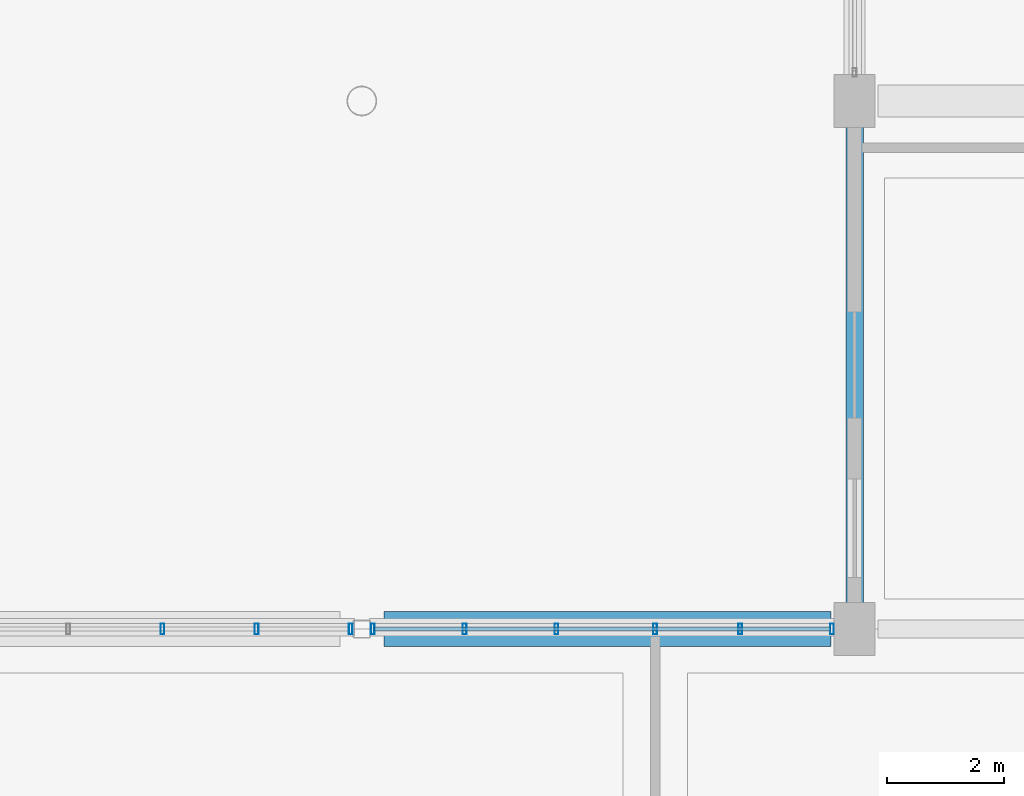
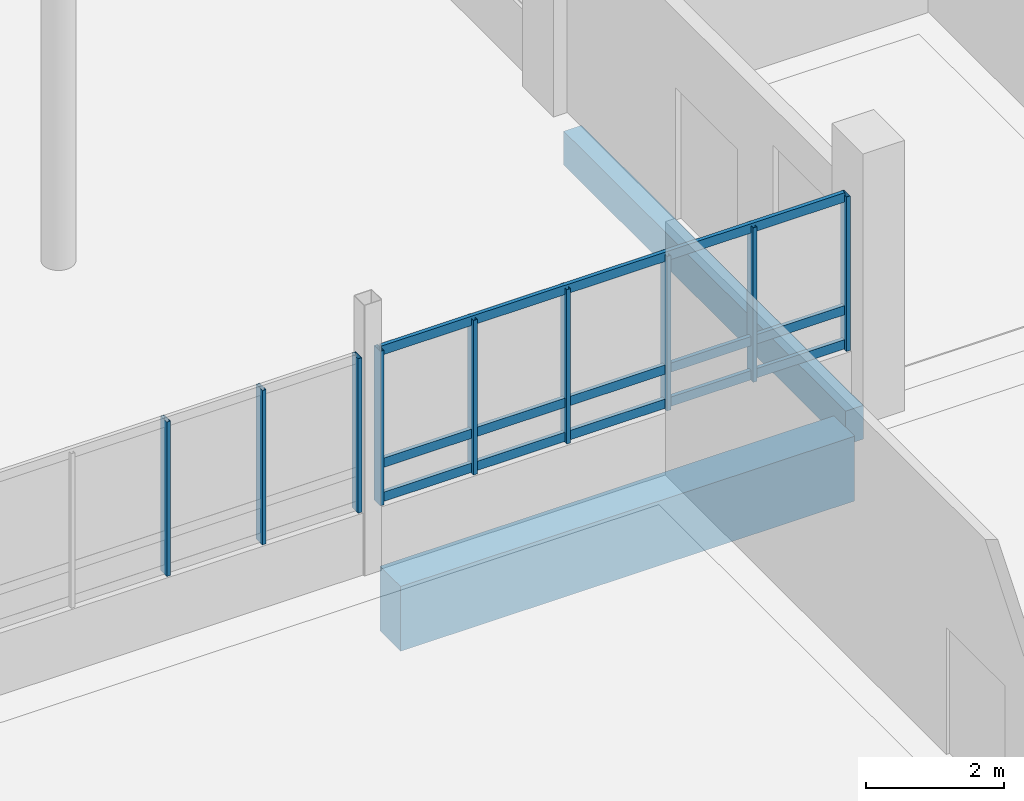
# One storey, part 23 of 95: 12 members, 2 beams, 2 elements without a shape of their own.
"""IFC4 building model written with IfcOpenShell, lengths in metres."""

from ifc_helpers import new_model, si_unit, direction, frame, origin, origin_2d, place, context, subcontext, project, spatial, rectangle, hollow_rectangle, extrude, material, layer, layer_set, material_profile, profile_set, type_object, element, aggregate, save


model = new_model("IFC4")

# Units and contexts
model_context = context("Model", 3, precision=1e-05, world=origin(), true_north=direction((0.0, 1.0)))
body_context = subcontext(model_context, "Body", "Model", "MODEL_VIEW")
ifc_project = project(units=[si_unit("LENGTHUNIT", "METRE"), si_unit("AREAUNIT", "SQUARE_METRE"), si_unit("VOLUMEUNIT", "CUBIC_METRE"), si_unit("PLANEANGLEUNIT", "RADIAN"), si_unit("MASSUNIT", "GRAM", prefix="KILO")], contexts=[model_context])

# Site, building, storey
site_placement = place(None, origin())
site = spatial("IfcSite", under=ifc_project, at=site_placement, CompositionType="ELEMENT")
building_placement = place(site_placement, origin())
building = spatial("IfcBuilding", under=site, at=building_placement, Name="Vireocrest Preparatory School", CompositionType="ELEMENT")
storey_placement = place(building_placement, origin())
storey = spatial("IfcBuildingStorey", under=building, at=storey_placement, Name="L00", CompositionType="ELEMENT", Elevation=0.0)

# Curtain wall, members
ifc_material_1 = material(Name="Thermally broken aluminium EN AW-6063-T6", Category="aluminium")
ifc_layer = layer(ifc_material_1, 0.179931640625)
ifc_layer_set = layer_set([ifc_layer], Name="Thermally broken aluminium EN AW-6063-T6")
curtain_wall_type = type_object("IfcCurtainWallType", Name="Court Banded Curtain Wall 8400x3600", PredefinedType="USERDEFINED", material=ifc_layer_set)
curtain_wall_1_placement = place(storey_placement, origin())
curtain_wall_1 = element("IfcCurtainWall", 1, at=curtain_wall_1_placement, inside=storey, type_object=curtain_wall_type, Name="Curtain Wall CW01 CW_L00_CW01_0757_0180_011", ObjectType="CURTAIN WALL", PredefinedType="USERDEFINED")
ifc_material_profile_1 = material_profile(ifc_material_1, hollow_rectangle(XDim=0.06494140625, YDim=0.179931640625, WallThickness=0.00390625, at=origin_2d()), Name="ALU 65x180x4")
ifc_profile_set_1 = profile_set([ifc_material_profile_1], Name="Thermally broken aluminium EN AW-6063-T6")
member_type_1 = type_object("IfcMemberType", Name="CW Mullion 65x180x4", PredefinedType="MULLION", material=ifc_profile_set_1)
member_1_placement = place(storey_placement, frame((80.6025390625, 18.0, 1.10009765625), z_axis=(0.0, 0.0, 1.0), x_axis=(1.0, 0.0, 0.0)))
member_1 = element("IfcMember", 2, at=member_1_placement, type_object=member_type_1, Name="CW Mullion ML2 CW_L00_CW01_0757_0180_011-4", PredefinedType="MULLION", context=body_context, shape_type="SweptSolid", body=[
    extrude(hollow_rectangle(XDim=0.06494140625, YDim=0.179931640625, WallThickness=0.00390625, at=origin_2d()), origin(), (0.0, 0.0, 1.0), 2.741943359375),
])
member_2_placement = place(storey_placement, frame((82.20751953125, 18.0, 1.10009765625), z_axis=(0.0, 0.0, 1.0), x_axis=(1.0, 0.0, 0.0)))
member_2 = element("IfcMember", 3, at=member_2_placement, type_object=member_type_1, Name="CW Mullion ML2 CW_L00_CW01_0757_0180_011-5", PredefinedType="MULLION", context=body_context, shape_type="SweptSolid", body=[
    extrude(hollow_rectangle(XDim=0.06494140625, YDim=0.179931640625, WallThickness=0.00390625, at=origin_2d()), origin(), (0.0, 0.0, 1.0), 2.741943359375),
])
member_3_placement = place(storey_placement, frame((83.8125, 18.0, 1.10009765625), z_axis=(0.0, 0.0, 1.0), x_axis=(1.0, 0.0, 0.0)))
member_3 = element("IfcMember", 4, at=member_3_placement, type_object=member_type_1, Name="CW Mullion ML2 CW_L00_CW01_0757_0180_011-6", PredefinedType="MULLION", context=body_context, shape_type="SweptSolid", body=[
    extrude(hollow_rectangle(XDim=0.06494140625, YDim=0.179931640625, WallThickness=0.00390625, at=origin_2d()), origin(), (0.0, 0.0, 1.0), 2.741943359375),
])
aggregate(curtain_wall_1, [member_1, member_2, member_3])

curtain_wall_2_placement = place(storey_placement, origin())
curtain_wall_2 = element("IfcCurtainWall", 5, at=curtain_wall_2_placement, inside=storey, type_object=curtain_wall_type, Name="Curtain Wall CW01 CW_L00_CW01_0841_0180_011", ObjectType="CURTAIN WALL", PredefinedType="USERDEFINED")
member_4_placement = place(storey_placement, frame((84.1875, 18.0, 1.10009765625), z_axis=(0.0, 0.0, 1.0), x_axis=(1.0, 0.0, 0.0)))
member_4 = element("IfcMember", 6, at=member_4_placement, type_object=member_type_1, Name="CW Mullion ML2 CW_L00_CW01_0841_0180_011-1", PredefinedType="MULLION", context=body_context, shape_type="SweptSolid", body=[
    extrude(hollow_rectangle(XDim=0.06494140625, YDim=0.179931640625, WallThickness=0.00390625, at=origin_2d()), origin(), (0.0, 0.0, 1.0), 2.741943359375),
])
member_5_placement = place(storey_placement, frame((85.7529296875, 18.0, 1.10009765625), z_axis=(0.0, 0.0, 1.0), x_axis=(1.0, 0.0, 0.0)))
member_5 = element("IfcMember", 7, at=member_5_placement, type_object=member_type_1, Name="CW Mullion ML2 CW_L00_CW01_0841_0180_011-2", PredefinedType="MULLION", context=body_context, shape_type="SweptSolid", body=[
    extrude(hollow_rectangle(XDim=0.06494140625, YDim=0.179931640625, WallThickness=0.00390625, at=origin_2d()), origin(), (0.0, 0.0, 1.0), 2.741943359375),
])
member_6_placement = place(storey_placement, frame((87.318359375, 18.0, 1.10009765625), z_axis=(0.0, 0.0, 1.0), x_axis=(1.0, 0.0, 0.0)))
member_6 = element("IfcMember", 8, at=member_6_placement, type_object=member_type_1, Name="CW Mullion ML2 CW_L00_CW01_0841_0180_011-3", PredefinedType="MULLION", context=body_context, shape_type="SweptSolid", body=[
    extrude(hollow_rectangle(XDim=0.06494140625, YDim=0.179931640625, WallThickness=0.00390625, at=origin_2d()), origin(), (0.0, 0.0, 1.0), 2.741943359375),
])
member_7_placement = place(storey_placement, frame((89.0, 18.0, 1.10009765625), z_axis=(0.0, 0.0, 1.0), x_axis=(1.0, 0.0, 0.0)))
member_7 = element("IfcMember", 9, at=member_7_placement, type_object=member_type_1, Name="CW Mullion ML2 CW_L00_CW01_0841_0180_011-4", PredefinedType="MULLION", context=body_context, shape_type="SweptSolid", body=[
    extrude(hollow_rectangle(XDim=0.06494140625, YDim=0.179931640625, WallThickness=0.00390625, at=origin_2d()), origin(), (0.0, 0.0, 1.0), 2.741943359375),
])
member_8_placement = place(storey_placement, frame((90.449462890625, 18.0, 1.10009765625), z_axis=(0.0, 0.0, 1.0), x_axis=(1.0, 0.0, 0.0)))
member_8 = element("IfcMember", 10, at=member_8_placement, type_object=member_type_1, Name="CW Mullion ML2 CW_L00_CW01_0841_0180_011-5", PredefinedType="MULLION", context=body_context, shape_type="SweptSolid", body=[
    extrude(hollow_rectangle(XDim=0.06494140625, YDim=0.179931640625, WallThickness=0.00390625, at=origin_2d()), origin(), (0.0, 0.0, 1.0), 2.741943359375),
])
member_9_placement = place(storey_placement, frame((92.014892578125, 18.0, 1.10009765625), z_axis=(0.0, 0.0, 1.0), x_axis=(1.0, 0.0, 0.0)))
member_9 = element("IfcMember", 11, at=member_9_placement, type_object=member_type_1, Name="CW Mullion ML2 CW_L00_CW01_0841_0180_011-6", PredefinedType="MULLION", context=body_context, shape_type="SweptSolid", body=[
    extrude(hollow_rectangle(XDim=0.06494140625, YDim=0.179931640625, WallThickness=0.00390625, at=origin_2d()), origin(), (0.0, 0.0, 1.0), 2.741943359375),
])
ifc_material_profile_2 = material_profile(ifc_material_1, hollow_rectangle(XDim=0.06494140625, YDim=0.1650390625, WallThickness=0.00390625, at=origin_2d()), Name="ALU 65x165x4")
ifc_profile_set_2 = profile_set([ifc_material_profile_2], Name="Thermally broken aluminium EN AW-6063-T6")
member_type_2 = type_object("IfcMemberType", Name="CW Transom 65x165x4", PredefinedType="USERDEFINED", material=ifc_profile_set_2)
member_10_placement = place(storey_placement, frame((84.21240234375, 18.0, 1.195068359375), z_axis=(1.0, 0.0, 0.0), x_axis=(0.0, 1.0, 0.0)))
member_10 = element("IfcMember", 12, at=member_10_placement, type_object=member_type_2, Name="CW Transom TR2 CW_L00_CW01_0841_0180_011-1", ObjectType="TRANSOM", PredefinedType="USERDEFINED", context=body_context, shape_type="SweptSolid", body=[
    extrude(hollow_rectangle(XDim=0.06494140625, YDim=0.1650390625, WallThickness=0.00390625, at=origin_2d()), origin(), (0.0, 0.0, 1.0), 7.777587890625),
])
member_11_placement = place(storey_placement, frame((84.21240234375, 18.0, 1.800048828125), z_axis=(1.0, 0.0, 0.0), x_axis=(0.0, 1.0, 0.0)))
member_11 = element("IfcMember", 13, at=member_11_placement, type_object=member_type_2, Name="CW Transom TR2 CW_L00_CW01_0841_0180_011-2", ObjectType="TRANSOM", PredefinedType="USERDEFINED", context=body_context, shape_type="SweptSolid", body=[
    extrude(hollow_rectangle(XDim=0.06494140625, YDim=0.1650390625, WallThickness=0.00390625, at=origin_2d()), origin(), (0.0, 0.0, 1.0), 7.777587890625),
])
member_12_placement = place(storey_placement, frame((84.21240234375, 18.0, 3.802001953125), z_axis=(1.0, 0.0, 0.0), x_axis=(0.0, 1.0, 0.0)))
member_12 = element("IfcMember", 14, at=member_12_placement, type_object=member_type_2, Name="CW Transom TR2 CW_L00_CW01_0841_0180_011-3", ObjectType="TRANSOM", PredefinedType="USERDEFINED", context=body_context, shape_type="SweptSolid", body=[
    extrude(hollow_rectangle(XDim=0.06494140625, YDim=0.1650390625, WallThickness=0.00390625, at=origin_2d()), origin(), (0.0, 0.0, 1.0), 7.777587890625),
])
aggregate(curtain_wall_2, [member_4, member_5, member_6, member_7, member_8, member_9, member_10, member_11, member_12])

# Beams
ifc_material_2 = material(Name="Concrete 40 MPa", Category="concrete")
ifc_material_profile_3 = material_profile(ifc_material_2, rectangle(XDim=0.300048828125, YDim=0.60009765625, at=origin_2d()), Name="RC 300x600")
ifc_profile_set_3 = profile_set([ifc_material_profile_3], Name="Concrete 40 MPa")
beam_type_1 = type_object("IfcBeamType", Name="RC Classroom Beam 300x600", PredefinedType="BEAM", material=ifc_profile_set_3)
beam_1_placement = place(storey_placement, frame((92.39990234375, 18.39990234375, -0.64990234375), z_axis=(0.0, 1.0, 0.0), x_axis=(-1.0, 0.0, 0.0)))
element("IfcBeam", 15, at=beam_1_placement, inside=storey, type_object=beam_type_1, Name="Primary Girder B03 L00-0194", PredefinedType="BEAM", context=body_context, shape_type="SweptSolid", body=[
    extrude(rectangle(XDim=0.300048828125, YDim=0.60009765625, at=origin_2d()), origin(), (0.0, 0.0, 1.0), 8.2001953125),
])
ifc_material_profile_4 = material_profile(ifc_material_2, rectangle(XDim=0.60009765625, YDim=1.14990234375, at=origin_2d()), Name="RC 600x1150")
ifc_profile_set_4 = profile_set([ifc_material_profile_4], Name="Concrete 40 MPa")
beam_type_2 = type_object("IfcBeamType", Name="RC Heavy Transfer Girder 600x1150", PredefinedType="BEAM", material=ifc_profile_set_4)
beam_2_placement = place(storey_placement, frame((84.375, 18.0, -0.85498046875), z_axis=(1.0, 0.0, 0.0), x_axis=(0.0, 1.0, 0.0)))
element("IfcBeam", 16, at=beam_2_placement, inside=storey, type_object=beam_type_2, Name="Primary Girder B20 L00-0018", PredefinedType="BEAM", context=body_context, shape_type="SweptSolid", body=[
    extrude(rectangle(XDim=0.60009765625, YDim=1.14990234375, at=origin_2d()), origin(), (0.0, 0.0, 1.0), 7.625),
])

save(model, "model.ifc")
